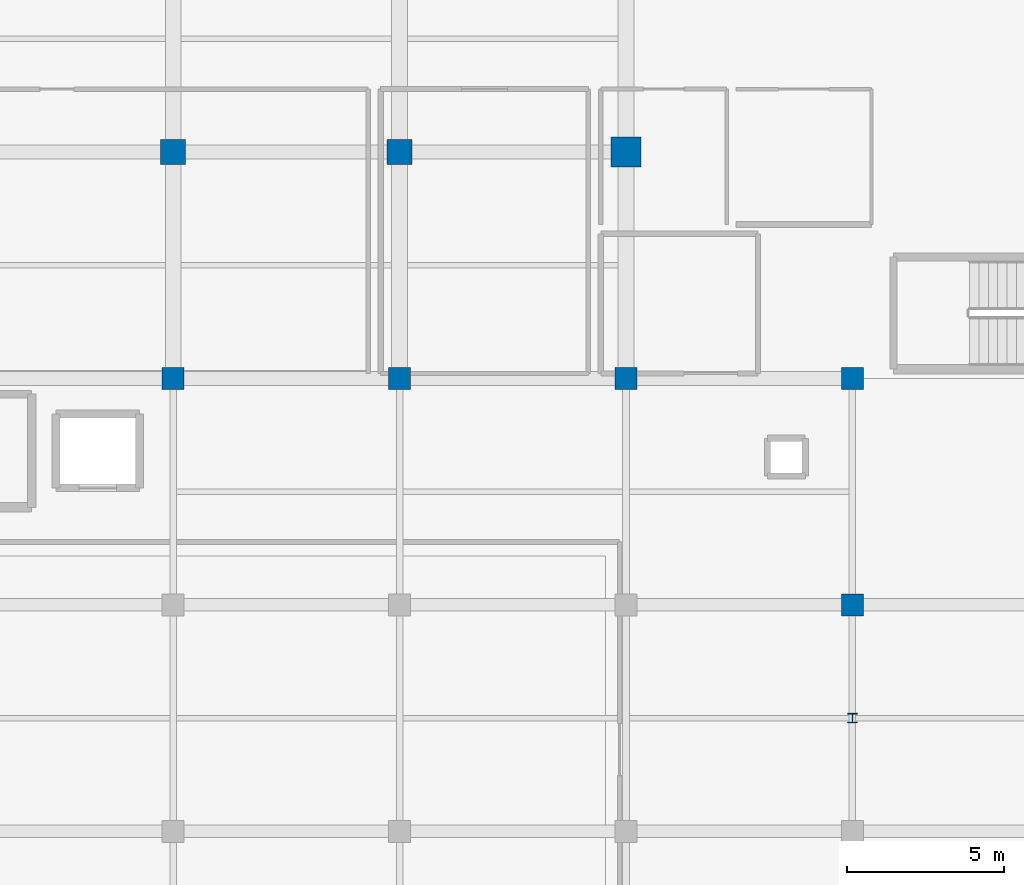
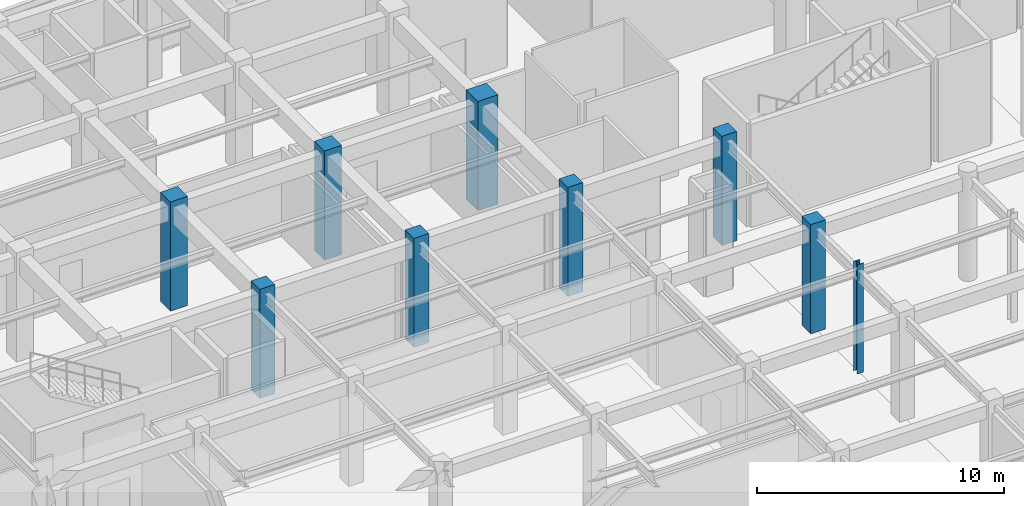
# One storey, part 7 of 102: 9 columns.
"""IFC4 building model written with IfcOpenShell, lengths in metres."""

from ifc_helpers import new_model, si_unit, direction, frame, origin, origin_2d, place, context, subcontext, project, spatial, rectangle, i_section, extrude, material, material_profile, profile_set, type_object, element, save


model = new_model("IFC4")

# Units and contexts
model_context = context("Model", 3, precision=1e-05, world=origin(), true_north=direction((0.0, 1.0)))
body_context = subcontext(model_context, "Body", "Model", "MODEL_VIEW")
ifc_project = project(units=[si_unit("LENGTHUNIT", "METRE"), si_unit("AREAUNIT", "SQUARE_METRE"), si_unit("VOLUMEUNIT", "CUBIC_METRE"), si_unit("PLANEANGLEUNIT", "RADIAN"), si_unit("MASSUNIT", "GRAM", prefix="KILO")], contexts=[model_context])

# Site, building, storey
site_placement = place(None, origin())
site = spatial("IfcSite", under=ifc_project, at=site_placement, CompositionType="ELEMENT")
building_placement = place(site_placement, origin())
building = spatial("IfcBuilding", under=site, at=building_placement, Name="Carrowvane Square Congress Hotel", CompositionType="ELEMENT")
storey_placement = place(building_placement, origin())
storey = spatial("IfcBuildingStorey", under=building, at=storey_placement, Name="L00", CompositionType="ELEMENT", Elevation=0.0)

# Columns
ifc_material_1 = material(Name="Concrete C40/50", Category="concrete")
ifc_material_profile_1 = material_profile(ifc_material_1, rectangle(XDim=0.699951171875, YDim=0.699951171875, at=origin_2d()), Name="RC 700x700")
ifc_profile_set_1 = profile_set([ifc_material_profile_1], Name="Concrete C40/50")
column_type_1 = type_object("IfcColumnType", Name="COL-RC-700", PredefinedType="COLUMN", material=ifc_profile_set_1)
for number, where, z_axis, x_axis, name in (
    (1, (47.60009765625, 91.800048828125, 0.0), (0.0, 0.0, 1.0), (1.0, 0.0, 0.0), "L00 column 6/N"),
    (2, (54.800048828125, 91.800048828125, 0.0), (0.0, 0.0, 1.0), (1.0, 0.0, 0.0), "L00 column 7/N"),
    (3, (62.0, 91.800048828125, 0.0), (0.0, 0.0, 1.0), (1.0, 0.0, 0.0), "L00 column 8/N"),
    (4, (69.199951171875, 84.60009765625, 0.0), (0.0, 0.0, 1.0), (1.0, 0.0, 0.0), "L00 column 9/M"),
    (5, (69.199951171875, 91.800048828125, 0.0), (0.0, 0.0, 1.0), (1.0, 0.0, 0.0), "L00 column 9/N"),
):
    element("IfcColumn", number, at=place(storey_placement, frame(where, z_axis=z_axis, x_axis=x_axis)), inside=storey, type_object=column_type_1, Name=name, PredefinedType="COLUMN", context=body_context, shape_type="SweptSolid", body=[
        extrude(rectangle(XDim=0.699951171875, YDim=0.699951171875, at=origin_2d()), origin(), (0.0, 0.0, 1.0), 5.39990234375),
    ])
ifc_material_2 = material(Name="Concrete C40/50", Category="concrete")
ifc_material_profile_2 = material_profile(ifc_material_2, rectangle(XDim=0.800048828125, YDim=0.800048828125, at=origin_2d()), Name="RC 800x800")
ifc_profile_set_2 = profile_set([ifc_material_profile_2], Name="Concrete C40/50")
column_type_2 = type_object("IfcColumnType", Name="COL-RC-800", PredefinedType="COLUMN", material=ifc_profile_set_2)
for number, where, z_axis, x_axis, name in (
    (6, (47.60009765625, 99.0, 0.0), (0.0, 0.0, 1.0), (1.0, 0.0, 0.0), "L00 column 6/P"),
    (7, (54.800048828125, 99.0, 0.0), (0.0, 0.0, 1.0), (1.0, 0.0, 0.0), "L00 column 7/P"),
):
    element("IfcColumn", number, at=place(storey_placement, frame(where, z_axis=z_axis, x_axis=x_axis)), inside=storey, type_object=column_type_2, Name=name, PredefinedType="COLUMN", context=body_context, shape_type="SweptSolid", body=[
        extrude(rectangle(XDim=0.800048828125, YDim=0.800048828125, at=origin_2d()), origin(), (0.0, 0.0, 1.0), 5.39990234375),
    ])
ifc_material_3 = material(Name="Steel S355", Category="steel")
ifc_material_profile_3 = material_profile(ifc_material_3, i_section(OverallWidth=0.300048828125, OverallDepth=0.300048828125, WebThickness=0.010986328125, FlangeThickness=0.01904296875, FilletRadius=0.027099609375, at=origin_2d()), Name="HEB 300")
ifc_profile_set_3 = profile_set([ifc_material_profile_3], Name="Steel S355")
column_type_3 = type_object("IfcColumnType", Name="COL-ST-HEB300", PredefinedType="COLUMN", material=ifc_profile_set_3)
column_1_placement = place(storey_placement, frame((69.199951171875, 81.0, 0.0), z_axis=(0.0, 0.0, 1.0), x_axis=(1.0, 0.0, 0.0)))
element("IfcColumn", 8, at=column_1_placement, inside=storey, type_object=column_type_3, Name="L00 column V6X69/RG", PredefinedType="COLUMN", context=body_context, shape_type="SweptSolid", body=[
    extrude(i_section(OverallWidth=0.300048828125, OverallDepth=0.300048828125, WebThickness=0.010986328125, FlangeThickness=0.01904296875, FilletRadius=0.027099609375, at=origin_2d()), origin(), (0.0, 0.0, 1.0), 5.39990234375),
])
ifc_material_4 = material(Name="Concrete C40/50", Category="concrete")
ifc_material_profile_4 = material_profile(ifc_material_4, rectangle(XDim=0.949951171875, YDim=0.949951171875, at=origin_2d()), Name="RC 950x950")
ifc_profile_set_4 = profile_set([ifc_material_profile_4], Name="Concrete C40/50")
column_type_4 = type_object("IfcColumnType", Name="MCOL-RC-1000", PredefinedType="COLUMN", material=ifc_profile_set_4)
column_2_placement = place(storey_placement, frame((62.0, 99.0, 0.0), z_axis=(0.0, 0.0, 1.0), x_axis=(1.0, 0.0, 0.0)))
element("IfcColumn", 9, at=column_2_placement, inside=storey, type_object=column_type_4, Name="L00 column 8/P", PredefinedType="COLUMN", context=body_context, shape_type="SweptSolid", body=[
    extrude(rectangle(XDim=0.949951171875, YDim=0.949951171875, at=origin_2d()), origin(), (0.0, 0.0, 1.0), 5.39990234375),
])

save(model, "model.ifc")
